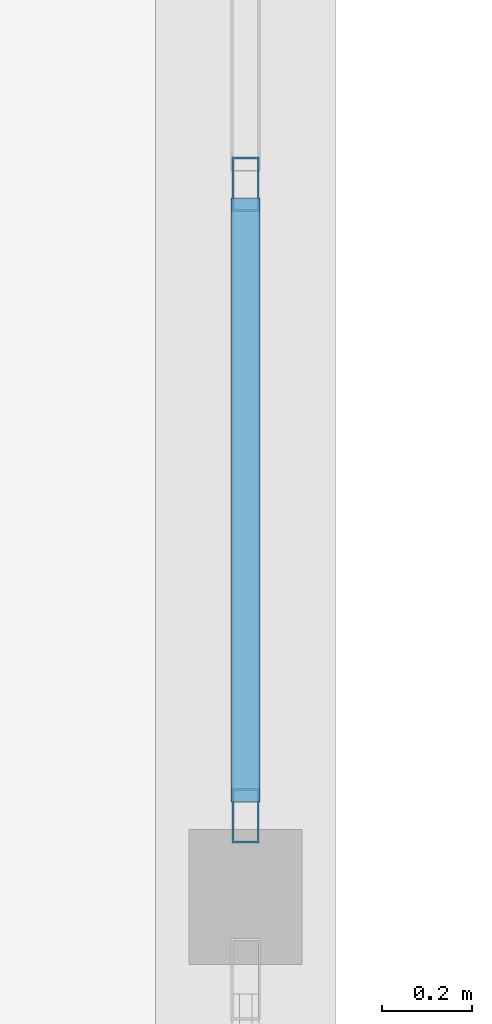
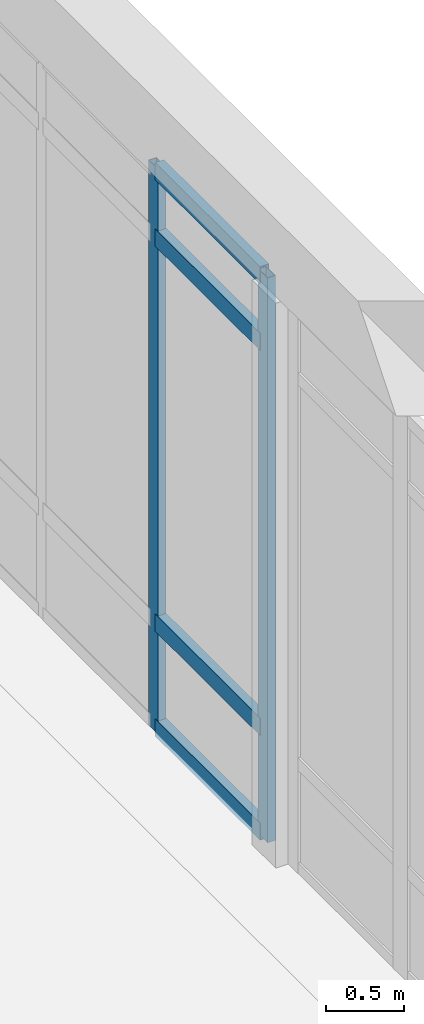
# One storey, part 74 of 138: 6 members, 1 element without a shape of its own.
"""IFC4 building model written with IfcOpenShell, lengths in metres."""

from ifc_helpers import new_model, si_unit, direction, frame, origin, origin_2d, place, context, subcontext, project, spatial, hollow_rectangle, extrude, material, layer, layer_set, material_profile, profile_set, type_object, element, aggregate, save


model = new_model("IFC4")

# Units and contexts
model_context = context("Model", 3, precision=1e-05, world=origin(), true_north=direction((0.0, 1.0)))
body_context = subcontext(model_context, "Body", "Model", "MODEL_VIEW")
ifc_project = project(units=[si_unit("LENGTHUNIT", "METRE"), si_unit("AREAUNIT", "SQUARE_METRE"), si_unit("VOLUMEUNIT", "CUBIC_METRE"), si_unit("PLANEANGLEUNIT", "RADIAN"), si_unit("MASSUNIT", "GRAM", prefix="KILO")], contexts=[model_context])

# Site, building, storey
site_placement = place(None, origin())
site = spatial("IfcSite", under=ifc_project, at=site_placement, CompositionType="ELEMENT")
building_placement = place(site_placement, origin())
building = spatial("IfcBuilding", under=site, at=building_placement, Name="Fikremerkos Civic Library", CompositionType="ELEMENT")
storey_placement = place(building_placement, origin())
storey = spatial("IfcBuildingStorey", under=building, at=storey_placement, Name="L00", CompositionType="ELEMENT", Elevation=0.0)

# Curtain wall, members
ifc_material = material(Name="Anodized aluminium Frame", Category="aluminium")
ifc_layer = layer(ifc_material, 0.159912109375, Name="Anodized aluminium Frame")
ifc_layer_set = layer_set([ifc_layer], Name="Anodized aluminium Frame")
curtain_wall_type = type_object("IfcCurtainWallType", Name="Unitised curtain wall CW-12 4300x3400", PredefinedType="USERDEFINED", material=ifc_layer_set)
curtain_wall_placement = place(storey_placement, origin())
curtain_wall = element("IfcCurtainWall", 1, at=curtain_wall_placement, inside=storey, type_object=curtain_wall_type, Name="Unitised curtain wall CW-12 L00 #66", ObjectType="UNITISED CURTAIN WALL", PredefinedType="USERDEFINED")
ifc_material_profile_1 = material_profile(ifc_material, hollow_rectangle(XDim=0.06005859375, YDim=0.1201171875, WallThickness=0.00390625, at=origin_2d()), Name="ALU 120x60x4")
ifc_profile_set_1 = profile_set([ifc_material_profile_1], Name="Anodized aluminium Frame")
member_type_1 = type_object("IfcMemberType", Name="Curtain mullion CWM-04 ALU 120x60x4", PredefinedType="MULLION", material=ifc_profile_set_1)
member_1_placement = place(storey_placement, frame((147.199951171875, 65.74560546875, 0.0), z_axis=(0.0, 0.0, 1.0), x_axis=(1.0, 0.0, 0.0)))
member_1 = element("IfcMember", 2, at=member_1_placement, type_object=member_type_1, Name="CW-12 mullion 4", PredefinedType="MULLION", context=body_context, shape_type="SweptSolid", body=[
    extrude(hollow_rectangle(XDim=0.06005859375, YDim=0.1201171875, WallThickness=0.00390625, at=origin_2d()), origin(), (0.0, 0.0, 1.0), 4.39990234375),
])
member_2_placement = place(storey_placement, frame((147.199951171875, 64.345947265625, 0.0), z_axis=(0.0, 0.0, 1.0), x_axis=(1.0, 0.0, 0.0)))
member_2 = element("IfcMember", 3, at=member_2_placement, type_object=member_type_1, Name="CW-12 mullion 5", PredefinedType="MULLION", context=body_context, shape_type="SweptSolid", body=[
    extrude(hollow_rectangle(XDim=0.06005859375, YDim=0.1201171875, WallThickness=0.00390625, at=origin_2d()), origin(), (0.0, 0.0, 1.0), 4.39990234375),
])
ifc_material_profile_2 = material_profile(ifc_material, hollow_rectangle(XDim=0.06494140625, YDim=0.135009765625, WallThickness=0.00439453125, at=origin_2d()), Name="ALU 135x65x4.5")
ifc_profile_set_2 = profile_set([ifc_material_profile_2], Name="Anodized aluminium Frame")
member_type_2 = type_object("IfcMemberType", Name="Curtain transom CWT-02 ALU 135x65x4.5", PredefinedType="USERDEFINED", material=ifc_profile_set_2)
member_3_placement = place(storey_placement, frame((147.199951171875, 65.715576171875, 0.032470703125), z_axis=(0.0, -1.0, 0.0), x_axis=(1.0, 0.0, 0.0)))
member_3 = element("IfcMember", 4, at=member_3_placement, type_object=member_type_2, Name="CW-12 transom 4.1", ObjectType="TRANSOM", PredefinedType="USERDEFINED", context=body_context, shape_type="SweptSolid", body=[
    extrude(hollow_rectangle(XDim=0.06494140625, YDim=0.135009765625, WallThickness=0.00439453125, at=origin_2d()), origin(), (0.0, 0.0, 1.0), 1.339599609375),
])
member_4_placement = place(storey_placement, frame((147.199951171875, 65.715576171875, 0.85009765625), z_axis=(0.0, -1.0, 0.0), x_axis=(1.0, 0.0, 0.0)))
member_4 = element("IfcMember", 5, at=member_4_placement, type_object=member_type_2, Name="CW-12 transom 4.2", ObjectType="TRANSOM", PredefinedType="USERDEFINED", context=body_context, shape_type="SweptSolid", body=[
    extrude(hollow_rectangle(XDim=0.06494140625, YDim=0.135009765625, WallThickness=0.00439453125, at=origin_2d()), origin(), (0.0, 0.0, 1.0), 1.339599609375),
])
member_5_placement = place(storey_placement, frame((147.199951171875, 65.715576171875, 3.85009765625), z_axis=(0.0, -1.0, 0.0), x_axis=(1.0, 0.0, 0.0)))
member_5 = element("IfcMember", 6, at=member_5_placement, type_object=member_type_2, Name="CW-12 transom 4.3", ObjectType="TRANSOM", PredefinedType="USERDEFINED", context=body_context, shape_type="SweptSolid", body=[
    extrude(hollow_rectangle(XDim=0.06494140625, YDim=0.135009765625, WallThickness=0.00439453125, at=origin_2d()), origin(), (0.0, 0.0, 1.0), 1.339599609375),
])
member_6_placement = place(storey_placement, frame((147.199951171875, 65.715576171875, 4.367431640625), z_axis=(0.0, -1.0, 0.0), x_axis=(1.0, 0.0, 0.0)))
member_6 = element("IfcMember", 7, at=member_6_placement, type_object=member_type_2, Name="CW-12 transom 4.4", ObjectType="TRANSOM", PredefinedType="USERDEFINED", context=body_context, shape_type="SweptSolid", body=[
    extrude(hollow_rectangle(XDim=0.06494140625, YDim=0.135009765625, WallThickness=0.00439453125, at=origin_2d()), origin(), (0.0, 0.0, 1.0), 1.339599609375),
])
aggregate(curtain_wall, [member_1, member_2, member_3, member_4, member_5, member_6])

save(model, "model.ifc")
